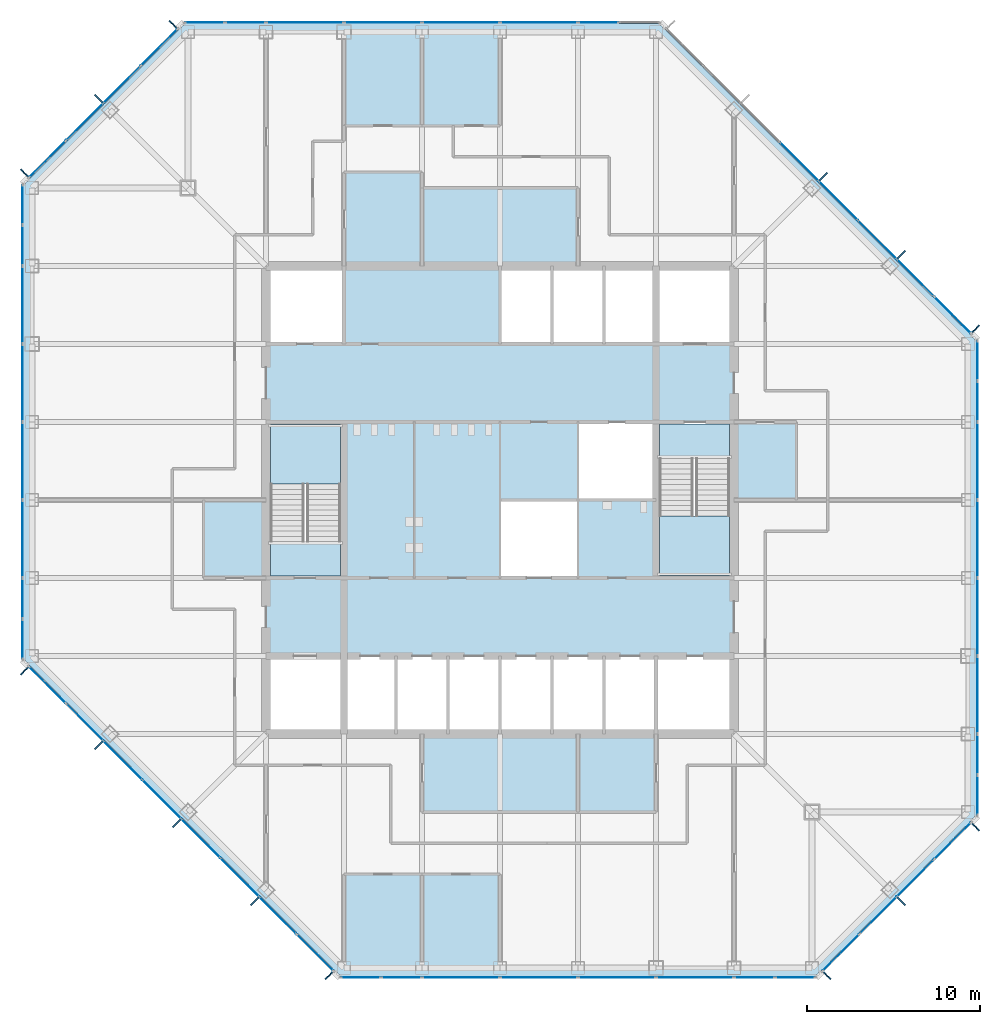
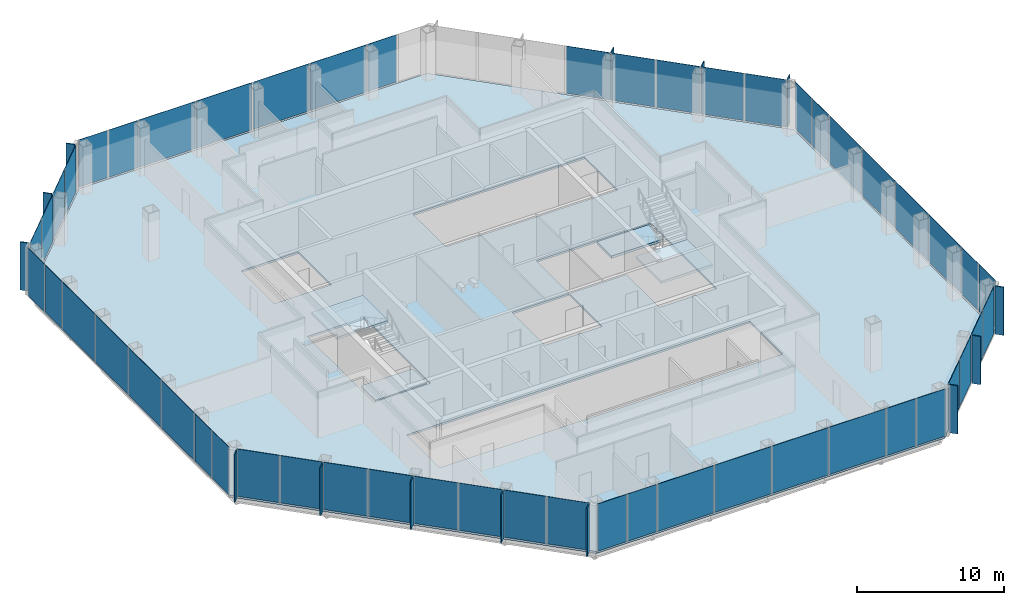
# One storey, part 7 of 13: 66 plates, 5 slabs, 10 elements without a shape of their own.
"""IFC4 building model written with IfcOpenShell, lengths in metres."""

from ifc_helpers import new_model, si_unit, direction, frame, origin, origin_2d, place, context, subcontext, project, spatial, polyline, rectangle, outline, extrude, material, layer, layer_set, type_object, element, aggregate, save


model = new_model("IFC4")

# Units and contexts
model_context = context("Model", 3, precision=1e-05, world=origin(), true_north=direction((0.0, 1.0)))
body_context = subcontext(model_context, "Body", "Model", "MODEL_VIEW")
ifc_project = project(units=[si_unit("LENGTHUNIT", "METRE"), si_unit("AREAUNIT", "SQUARE_METRE"), si_unit("VOLUMEUNIT", "CUBIC_METRE"), si_unit("PLANEANGLEUNIT", "RADIAN"), si_unit("MASSUNIT", "GRAM", prefix="KILO")], contexts=[model_context])

# Site, building, storey
site_placement = place(None, origin())
site = spatial("IfcSite", under=ifc_project, at=site_placement, CompositionType="ELEMENT")
building_placement = place(site_placement, origin())
building = spatial("IfcBuilding", under=site, at=building_placement, Name="Corais Broadcast Tower", CompositionType="ELEMENT")
storey_placement = place(building_placement, frame((0.0, 0.0, 123.60009765625)))
storey = spatial("IfcBuildingStorey", under=building, at=storey_placement, Name="L27", CompositionType="ELEMENT", Elevation=123.60009765625)

# Slab
ifc_material_1 = material(Name="Concrete C30/37", Category="concrete")
ifc_layer_1 = layer(ifc_material_1, 0.159912109375)
ifc_layer_set_1 = layer_set([ifc_layer_1], Name="Concrete C30/37")
slab_type_1 = type_object("IfcSlabType", Name="Composite floor slab 160", PredefinedType="FLOOR", material=ifc_layer_set_1)
slab_1_placement = place(storey_placement, frame((0.0, 0.0, -0.16015625)))
element("IfcSlab", 1, at=slab_1_placement, inside=storey, type_object=slab_type_1, Name="S160 floor slab L27", PredefinedType="FLOOR", context=body_context, shape_type="SweptSolid", body=[
    extrude(outline(polyline([(17.80126953125, -0.47998046875), (-0.47998046875, 17.80126953125), (-0.47998046875, 45.19873046875), (8.80126953125, 54.47998046875), (36.19873046875, 54.47998046875), (54.47998046875, 36.19873046875), (54.47998046875, 8.80126953125), (45.19873046875, -0.47998046875), (17.80126953125, -0.47998046875)]), holes=[polyline([(13.5, 18.0), (40.5, 18.0), (40.5, 13.5), (13.5, 13.5), (13.5, 18.0)]), polyline([(18.0, 22.5), (13.5, 22.5), (13.5, 31.5), (18.0, 31.5), (18.0, 22.5)]), polyline([(18.0, 36.0), (13.5, 36.0), (13.5, 40.5), (18.0, 40.5), (18.0, 36.0)]), polyline([(31.5, 22.5), (27.0, 22.5), (27.0, 27.0), (31.4951171875, 27.0), (31.4951171875, 27.0048828125), (31.5, 27.0048828125), (31.5, 31.5), (40.5, 31.5), (40.5, 22.5), (36.0, 22.5), (36.0, 27.0), (31.5048828125, 27.0), (31.5048828125, 26.9951171875), (31.5, 26.9951171875), (31.5, 22.5)]), polyline([(27.0, 40.5), (40.5, 40.5), (40.5, 36.0), (27.0, 36.0), (27.0, 40.5)])]), origin(), (0.0, 0.0, 1.0), 0.16015625),
])

# Curtain wall, plates
ifc_material_2 = material(Name="Aluminium and glass", Category="aluminium")
curtain_wall_type = type_object("IfcCurtainWallType", Name="Unitised fritted curtain wall CW2", PredefinedType="NOTDEFINED", material=ifc_material_2)
curtain_wall_1_placement = place(storey_placement, origin())
curtain_wall_1 = element("IfcCurtainWall", 2, at=curtain_wall_1_placement, inside=storey, type_object=curtain_wall_type, Name="CW2 curtain wall L27 1", PredefinedType="NOTDEFINED")
ifc_material_3 = material(Name="Ceramic-fritted laminated glass", Category="glass")
ifc_layer_2 = layer(ifc_material_3, 0.028076171875)
ifc_layer_set_2 = layer_set([ifc_layer_2], Name="Ceramic-fritted laminated glass")
plate_type_1 = type_object("IfcPlateType", Name="Fritted glass panel CW2", PredefinedType="CURTAIN_PANEL", material=ifc_layer_set_2)
plate_1_placement = place(storey_placement, frame((16.330322265625, 0.891845703125, 0.06494140625), z_axis=(0.0, 0.0, 1.0), x_axis=(-0.707106781187, 0.707106781187, 0.0)))
plate_1 = element("IfcPlate", 3, at=plate_1_placement, type_object=plate_type_1, Name="CW2 panel 1", PredefinedType="CURTAIN_PANEL", context=body_context, shape_type="SweptSolid", body=[
    extrude(rectangle(XDim=2.9482421875, YDim=0.028076171875, at=origin_2d()), origin(), (0.0, 0.0, 1.0), 3.93505859375),
])
plate_2_placement = place(storey_placement, frame((11.986083984375, 5.236083984375, 0.06494140625), z_axis=(0.0, 0.0, 1.0), x_axis=(-0.707106781187, 0.707106781187, 0.0)))
plate_2 = element("IfcPlate", 4, at=plate_2_placement, type_object=plate_type_1, Name="CW2 panel 3", PredefinedType="CURTAIN_PANEL", context=body_context, shape_type="SweptSolid", body=[
    extrude(rectangle(XDim=3.116943359375, YDim=0.028076171875, at=origin_2d()), origin(), (0.0, 0.0, 1.0), 3.93505859375),
])
plate_3_placement = place(storey_placement, frame((7.486083984375, 9.736083984375, 0.06494140625), z_axis=(0.0, 0.0, 1.0), x_axis=(-0.707106781187, 0.707106781187, 0.0)))
plate_3 = element("IfcPlate", 5, at=plate_3_placement, type_object=plate_type_1, Name="CW2 panel 5", PredefinedType="CURTAIN_PANEL", context=body_context, shape_type="SweptSolid", body=[
    extrude(rectangle(XDim=3.116943359375, YDim=0.028076171875, at=origin_2d()), origin(), (0.0, 0.0, 1.0), 3.93505859375),
])
plate_4_placement = place(storey_placement, frame((3.0341796875, 14.18798828125, 0.06494140625), z_axis=(0.0, 0.0, 1.0), x_axis=(-0.707106781187, 0.707106781187, 0.0)))
plate_4 = element("IfcPlate", 6, at=plate_4_placement, type_object=plate_type_1, Name="CW2 panel 7", PredefinedType="CURTAIN_PANEL", context=body_context, shape_type="SweptSolid", body=[
    extrude(rectangle(XDim=2.98095703125, YDim=0.028076171875, at=origin_2d()), origin(), (0.0, 0.0, 1.0), 3.93505859375),
])

curtain_wall_2_placement = place(storey_placement, origin())
curtain_wall_2 = element("IfcCurtainWall", 7, at=curtain_wall_2_placement, inside=storey, type_object=curtain_wall_type, Name="CW2 curtain wall L27 2", PredefinedType="NOTDEFINED")
plate_5_placement = place(storey_placement, frame((-0.550048828125, 18.970458984375, 0.06494140625), z_axis=(0.0, 0.0, 1.0), x_axis=(0.0, 1.0, 0.0)))
plate_5 = element("IfcPlate", 8, at=plate_5_placement, type_object=plate_type_1, Name="CW2 panel 1", PredefinedType="CURTAIN_PANEL", context=body_context, shape_type="SweptSolid", body=[
    extrude(rectangle(XDim=2.266357421875, YDim=0.028076171875, at=origin_2d()), origin(), (0.0, 0.0, 1.0), 3.93505859375),
])
plate_6_placement = place(storey_placement, frame((-0.550048828125, 24.75, 0.06494140625), z_axis=(0.0, 0.0, 1.0), x_axis=(0.0, 1.0, 0.0)))
plate_6 = element("IfcPlate", 9, at=plate_6_placement, type_object=plate_type_1, Name="CW2 panel 3", PredefinedType="CURTAIN_PANEL", context=body_context, shape_type="SweptSolid", body=[
    extrude(rectangle(XDim=4.43505859375, YDim=0.028076171875, at=origin_2d()), origin(), (0.0, 0.0, 1.0), 3.93505859375),
])
plate_7_placement = place(storey_placement, frame((-0.550048828125, 33.75, 0.06494140625), z_axis=(0.0, 0.0, 1.0), x_axis=(0.0, 1.0, 0.0)))
plate_7 = element("IfcPlate", 10, at=plate_7_placement, type_object=plate_type_1, Name="CW2 panel 5", PredefinedType="CURTAIN_PANEL", context=body_context, shape_type="SweptSolid", body=[
    extrude(rectangle(XDim=4.43505859375, YDim=0.028076171875, at=origin_2d()), origin(), (0.0, 0.0, 1.0), 3.93505859375),
])
plate_8_placement = place(storey_placement, frame((-0.550048828125, 41.681884765625, 0.06494140625), z_axis=(0.0, 0.0, 1.0), x_axis=(0.0, 1.0, 0.0)))
plate_8 = element("IfcPlate", 11, at=plate_8_placement, type_object=plate_type_1, Name="CW2 panel 7", PredefinedType="CURTAIN_PANEL", context=body_context, shape_type="SweptSolid", body=[
    extrude(rectangle(XDim=2.298828125, YDim=0.028076171875, at=origin_2d()), origin(), (0.0, 0.0, 1.0), 3.93505859375),
])

curtain_wall_3_placement = place(storey_placement, origin())
curtain_wall_3 = element("IfcCurtainWall", 12, at=curtain_wall_3_placement, inside=storey, type_object=curtain_wall_type, Name="CW2 curtain wall L27 3", PredefinedType="NOTDEFINED")
plate_9_placement = place(storey_placement, frame((0.891845703125, 46.669677734375, 0.06494140625), z_axis=(0.0, 0.0, 1.0), x_axis=(0.707106781187, 0.707106781187, 0.0)))
plate_9 = element("IfcPlate", 13, at=plate_9_placement, type_object=plate_type_1, Name="CW2 panel 1", PredefinedType="CURTAIN_PANEL", context=body_context, shape_type="SweptSolid", body=[
    extrude(rectangle(XDim=2.9482421875, YDim=0.028076171875, at=origin_2d()), origin(), (0.0, 0.0, 1.0), 3.93505859375),
])
plate_10_placement = place(storey_placement, frame((5.18798828125, 50.9658203125, 0.06494140625), z_axis=(0.0, 0.0, 1.0), x_axis=(0.707106781187, 0.707106781187, 0.0)))
plate_10 = element("IfcPlate", 14, at=plate_10_placement, type_object=plate_type_1, Name="CW2 panel 3", PredefinedType="CURTAIN_PANEL", context=body_context, shape_type="SweptSolid", body=[
    extrude(rectangle(XDim=2.98095703125, YDim=0.028076171875, at=origin_2d()), origin(), (0.0, 0.0, 1.0), 3.93505859375),
])

curtain_wall_4_placement = place(storey_placement, origin())
curtain_wall_4 = element("IfcCurtainWall", 15, at=curtain_wall_4_placement, inside=storey, type_object=curtain_wall_type, Name="CW2 curtain wall L27 4", PredefinedType="NOTDEFINED")
plate_11_placement = place(storey_placement, frame((9.970458984375, 54.550048828125, 0.06494140625), z_axis=(0.0, 0.0, 1.0), x_axis=(1.0, 0.0, 0.0)))
plate_11 = element("IfcPlate", 16, at=plate_11_placement, type_object=plate_type_1, Name="CW2 panel 1", PredefinedType="CURTAIN_PANEL", context=body_context, shape_type="SweptSolid", body=[
    extrude(rectangle(XDim=2.266357421875, YDim=0.028076171875, at=origin_2d()), origin(), (0.0, 0.0, 1.0), 3.93505859375),
])
plate_12_placement = place(storey_placement, frame((15.75, 54.550048828125, 0.06494140625), z_axis=(0.0, 0.0, 1.0), x_axis=(1.0, 0.0, 0.0)))
plate_12 = element("IfcPlate", 17, at=plate_12_placement, type_object=plate_type_1, Name="CW2 panel 3", PredefinedType="CURTAIN_PANEL", context=body_context, shape_type="SweptSolid", body=[
    extrude(rectangle(XDim=4.43505859375, YDim=0.028076171875, at=origin_2d()), origin(), (0.0, 0.0, 1.0), 3.93505859375),
])
plate_13_placement = place(storey_placement, frame((24.75, 54.550048828125, 0.06494140625), z_axis=(0.0, 0.0, 1.0), x_axis=(1.0, 0.0, 0.0)))
plate_13 = element("IfcPlate", 18, at=plate_13_placement, type_object=plate_type_1, Name="CW2 panel 5", PredefinedType="CURTAIN_PANEL", context=body_context, shape_type="SweptSolid", body=[
    extrude(rectangle(XDim=4.43505859375, YDim=0.028076171875, at=origin_2d()), origin(), (0.0, 0.0, 1.0), 3.93505859375),
])
plate_14_placement = place(storey_placement, frame((32.681884765625, 54.550048828125, 0.06494140625), z_axis=(0.0, 0.0, 1.0), x_axis=(1.0, 0.0, 0.0)))
plate_14 = element("IfcPlate", 19, at=plate_14_placement, type_object=plate_type_1, Name="CW2 panel 7", PredefinedType="CURTAIN_PANEL", context=body_context, shape_type="SweptSolid", body=[
    extrude(rectangle(XDim=2.298828125, YDim=0.028076171875, at=origin_2d()), origin(), (0.0, 0.0, 1.0), 3.93505859375),
])

curtain_wall_5_placement = place(storey_placement, origin())
curtain_wall_5 = element("IfcCurtainWall", 20, at=curtain_wall_5_placement, inside=storey, type_object=curtain_wall_type, Name="CW2 curtain wall L27 5", PredefinedType="NOTDEFINED")
plate_15_placement = place(storey_placement, frame((46.513916015625, 44.263916015625, 0.06494140625), z_axis=(0.0, 0.0, 1.0), x_axis=(0.707106781187, -0.707106781187, 0.0)))
plate_15 = element("IfcPlate", 21, at=plate_15_placement, type_object=plate_type_1, Name="CW2 panel 5", PredefinedType="CURTAIN_PANEL", context=body_context, shape_type="SweptSolid", body=[
    extrude(rectangle(XDim=3.116943359375, YDim=0.028076171875, at=origin_2d()), origin(), (0.0, 0.0, 1.0), 3.93505859375),
])
plate_16_placement = place(storey_placement, frame((50.9658203125, 39.81201171875, 0.06494140625), z_axis=(0.0, 0.0, 1.0), x_axis=(0.707106781187, -0.707106781187, 0.0)))
plate_16 = element("IfcPlate", 22, at=plate_16_placement, type_object=plate_type_1, Name="CW2 panel 7", PredefinedType="CURTAIN_PANEL", context=body_context, shape_type="SweptSolid", body=[
    extrude(rectangle(XDim=2.98095703125, YDim=0.028076171875, at=origin_2d()), origin(), (0.0, 0.0, 1.0), 3.93505859375),
])

curtain_wall_6_placement = place(storey_placement, origin())
curtain_wall_6 = element("IfcCurtainWall", 23, at=curtain_wall_6_placement, inside=storey, type_object=curtain_wall_type, Name="CW2 curtain wall L27 6", PredefinedType="NOTDEFINED")
plate_17_placement = place(storey_placement, frame((54.550048828125, 35.029541015625, 0.06494140625), z_axis=(0.0, 0.0, 1.0), x_axis=(0.0, -1.0, 0.0)))
plate_17 = element("IfcPlate", 24, at=plate_17_placement, type_object=plate_type_1, Name="CW2 panel 1", PredefinedType="CURTAIN_PANEL", context=body_context, shape_type="SweptSolid", body=[
    extrude(rectangle(XDim=2.266357421875, YDim=0.028076171875, at=origin_2d()), origin(), (0.0, 0.0, 1.0), 3.93505859375),
])
plate_18_placement = place(storey_placement, frame((54.550048828125, 29.25, 0.06494140625), z_axis=(0.0, 0.0, 1.0), x_axis=(0.0, -1.0, 0.0)))
plate_18 = element("IfcPlate", 25, at=plate_18_placement, type_object=plate_type_1, Name="CW2 panel 3", PredefinedType="CURTAIN_PANEL", context=body_context, shape_type="SweptSolid", body=[
    extrude(rectangle(XDim=4.43505859375, YDim=0.028076171875, at=origin_2d()), origin(), (0.0, 0.0, 1.0), 3.93505859375),
])
plate_19_placement = place(storey_placement, frame((54.550048828125, 20.25, 0.06494140625), z_axis=(0.0, 0.0, 1.0), x_axis=(0.0, -1.0, 0.0)))
plate_19 = element("IfcPlate", 26, at=plate_19_placement, type_object=plate_type_1, Name="CW2 panel 5", PredefinedType="CURTAIN_PANEL", context=body_context, shape_type="SweptSolid", body=[
    extrude(rectangle(XDim=4.43505859375, YDim=0.028076171875, at=origin_2d()), origin(), (0.0, 0.0, 1.0), 3.93505859375),
])
plate_20_placement = place(storey_placement, frame((54.550048828125, 12.318115234375, 0.06494140625), z_axis=(0.0, 0.0, 1.0), x_axis=(0.0, -1.0, 0.0)))
plate_20 = element("IfcPlate", 27, at=plate_20_placement, type_object=plate_type_1, Name="CW2 panel 7", PredefinedType="CURTAIN_PANEL", context=body_context, shape_type="SweptSolid", body=[
    extrude(rectangle(XDim=2.298828125, YDim=0.028076171875, at=origin_2d()), origin(), (0.0, 0.0, 1.0), 3.93505859375),
])

curtain_wall_7_placement = place(storey_placement, origin())
curtain_wall_7 = element("IfcCurtainWall", 28, at=curtain_wall_7_placement, inside=storey, type_object=curtain_wall_type, Name="CW2 curtain wall L27 7", PredefinedType="NOTDEFINED")
plate_21_placement = place(storey_placement, frame((53.108154296875, 7.330322265625, 0.06494140625), z_axis=(0.0, 0.0, 1.0), x_axis=(-0.707106781187, -0.707106781187, 0.0)))
plate_21 = element("IfcPlate", 29, at=plate_21_placement, type_object=plate_type_1, Name="CW2 panel 1", PredefinedType="CURTAIN_PANEL", context=body_context, shape_type="SweptSolid", body=[
    extrude(rectangle(XDim=2.9482421875, YDim=0.028076171875, at=origin_2d()), origin(), (0.0, 0.0, 1.0), 3.93505859375),
])
plate_22_placement = place(storey_placement, frame((48.81201171875, 3.0341796875, 0.06494140625), z_axis=(0.0, 0.0, 1.0), x_axis=(-0.707106781187, -0.707106781187, 0.0)))
plate_22 = element("IfcPlate", 30, at=plate_22_placement, type_object=plate_type_1, Name="CW2 panel 3", PredefinedType="CURTAIN_PANEL", context=body_context, shape_type="SweptSolid", body=[
    extrude(rectangle(XDim=2.98095703125, YDim=0.028076171875, at=origin_2d()), origin(), (0.0, 0.0, 1.0), 3.93505859375),
])

curtain_wall_8_placement = place(storey_placement, origin())
curtain_wall_8 = element("IfcCurtainWall", 31, at=curtain_wall_8_placement, inside=storey, type_object=curtain_wall_type, Name="CW2 curtain wall L27 8", PredefinedType="NOTDEFINED")
plate_23_placement = place(storey_placement, frame((44.029541015625, -0.550048828125, 0.06494140625), z_axis=(0.0, 0.0, 1.0), x_axis=(-1.0, 0.0, 0.0)))
plate_23 = element("IfcPlate", 32, at=plate_23_placement, type_object=plate_type_1, Name="CW2 panel 1", PredefinedType="CURTAIN_PANEL", context=body_context, shape_type="SweptSolid", body=[
    extrude(rectangle(XDim=2.266357421875, YDim=0.028076171875, at=origin_2d()), origin(), (0.0, 0.0, 1.0), 3.93505859375),
])
plate_24_placement = place(storey_placement, frame((38.25, -0.550048828125, 0.06494140625), z_axis=(0.0, 0.0, 1.0), x_axis=(-1.0, 0.0, 0.0)))
plate_24 = element("IfcPlate", 33, at=plate_24_placement, type_object=plate_type_1, Name="CW2 panel 3", PredefinedType="CURTAIN_PANEL", context=body_context, shape_type="SweptSolid", body=[
    extrude(rectangle(XDim=4.43505859375, YDim=0.028076171875, at=origin_2d()), origin(), (0.0, 0.0, 1.0), 3.93505859375),
])
plate_25_placement = place(storey_placement, frame((29.25, -0.550048828125, 0.06494140625), z_axis=(0.0, 0.0, 1.0), x_axis=(-1.0, 0.0, 0.0)))
plate_25 = element("IfcPlate", 34, at=plate_25_placement, type_object=plate_type_1, Name="CW2 panel 5", PredefinedType="CURTAIN_PANEL", context=body_context, shape_type="SweptSolid", body=[
    extrude(rectangle(XDim=4.43505859375, YDim=0.028076171875, at=origin_2d()), origin(), (0.0, 0.0, 1.0), 3.93505859375),
])
plate_26_placement = place(storey_placement, frame((21.318115234375, -0.550048828125, 0.06494140625), z_axis=(0.0, 0.0, 1.0), x_axis=(-1.0, 0.0, 0.0)))
plate_26 = element("IfcPlate", 35, at=plate_26_placement, type_object=plate_type_1, Name="CW2 panel 7", PredefinedType="CURTAIN_PANEL", context=body_context, shape_type="SweptSolid", body=[
    extrude(rectangle(XDim=2.298828125, YDim=0.028076171875, at=origin_2d()), origin(), (0.0, 0.0, 1.0), 3.93505859375),
])

# Plate
ifc_material_4 = material(Name="Clear laminated glass", Category="glass")
ifc_layer_3 = layer(ifc_material_4, 0.031982421875)
ifc_layer_set_3 = layer_set([ifc_layer_3], Name="Clear laminated glass")
plate_type_2 = type_object("IfcPlateType", Name="Operable glass panel CW2", PredefinedType="CURTAIN_PANEL", material=ifc_layer_set_3)
plate_27_placement = place(storey_placement, frame((14.18798828125, 3.0341796875, 0.06494140625), z_axis=(0.0, 0.0, 1.0), x_axis=(-0.707106781187, 0.707106781187, 0.0)))
plate_27 = element("IfcPlate", 36, at=plate_27_placement, type_object=plate_type_2, Name="CW2 operable panel 2", PredefinedType="CURTAIN_PANEL", context=body_context, shape_type="SweptSolid", body=[
    extrude(rectangle(XDim=2.98095703125, YDim=0.031982421875, at=origin_2d()), origin(), (0.0, 0.0, 1.0), 3.93505859375),
])

plate_28_placement = place(storey_placement, frame((9.736083984375, 7.486083984375, 0.06494140625), z_axis=(0.0, 0.0, 1.0), x_axis=(-0.707106781187, 0.707106781187, 0.0)))
plate_28 = element("IfcPlate", 37, at=plate_28_placement, type_object=plate_type_2, Name="CW2 operable panel 4", PredefinedType="CURTAIN_PANEL", context=body_context, shape_type="SweptSolid", body=[
    extrude(rectangle(XDim=3.116943359375, YDim=0.031982421875, at=origin_2d()), origin(), (0.0, 0.0, 1.0), 3.93505859375),
])

plate_29_placement = place(storey_placement, frame((5.236083984375, 11.986083984375, 0.06494140625), z_axis=(0.0, 0.0, 1.0), x_axis=(-0.707106781187, 0.707106781187, 0.0)))
plate_29 = element("IfcPlate", 38, at=plate_29_placement, type_object=plate_type_2, Name="CW2 operable panel 6", PredefinedType="CURTAIN_PANEL", context=body_context, shape_type="SweptSolid", body=[
    extrude(rectangle(XDim=3.116943359375, YDim=0.031982421875, at=origin_2d()), origin(), (0.0, 0.0, 1.0), 3.93505859375),
])

plate_30_placement = place(storey_placement, frame((0.89208984375, 16.330322265625, 0.06494140625), z_axis=(0.0, 0.0, 1.0), x_axis=(-0.707106781187, 0.707106781187, 0.0)))
plate_30 = element("IfcPlate", 39, at=plate_30_placement, type_object=plate_type_2, Name="CW2 operable panel 8", PredefinedType="CURTAIN_PANEL", context=body_context, shape_type="SweptSolid", body=[
    extrude(rectangle(XDim=2.948486328125, YDim=0.031982421875, at=origin_2d()), origin(), (0.0, 0.0, 1.0), 3.93505859375),
])

aggregate(curtain_wall_1, [plate_1, plate_27, plate_2, plate_28, plate_3, plate_29, plate_4, plate_30])

plate_31_placement = place(storey_placement, frame((-0.550048828125, 21.318115234375, 0.06494140625), z_axis=(0.0, 0.0, 1.0), x_axis=(0.0, 1.0, 0.0)))
plate_31 = element("IfcPlate", 40, at=plate_31_placement, type_object=plate_type_2, Name="CW2 operable panel 2", PredefinedType="CURTAIN_PANEL", context=body_context, shape_type="SweptSolid", body=[
    extrude(rectangle(XDim=2.298828125, YDim=0.031982421875, at=origin_2d()), origin(), (0.0, 0.0, 1.0), 3.93505859375),
])

plate_32_placement = place(storey_placement, frame((-0.550048828125, 29.25, 0.06494140625), z_axis=(0.0, 0.0, 1.0), x_axis=(0.0, 1.0, 0.0)))
plate_32 = element("IfcPlate", 41, at=plate_32_placement, type_object=plate_type_2, Name="CW2 operable panel 4", PredefinedType="CURTAIN_PANEL", context=body_context, shape_type="SweptSolid", body=[
    extrude(rectangle(XDim=4.43505859375, YDim=0.031982421875, at=origin_2d()), origin(), (0.0, 0.0, 1.0), 3.93505859375),
])

plate_33_placement = place(storey_placement, frame((-0.550048828125, 38.25, 0.06494140625), z_axis=(0.0, 0.0, 1.0), x_axis=(0.0, 1.0, 0.0)))
plate_33 = element("IfcPlate", 42, at=plate_33_placement, type_object=plate_type_2, Name="CW2 operable panel 6", PredefinedType="CURTAIN_PANEL", context=body_context, shape_type="SweptSolid", body=[
    extrude(rectangle(XDim=4.43505859375, YDim=0.031982421875, at=origin_2d()), origin(), (0.0, 0.0, 1.0), 3.93505859375),
])

plate_34_placement = place(storey_placement, frame((-0.550048828125, 44.029541015625, 0.06494140625), z_axis=(0.0, 0.0, 1.0), x_axis=(0.0, 1.0, 0.0)))
plate_34 = element("IfcPlate", 43, at=plate_34_placement, type_object=plate_type_2, Name="CW2 operable panel 8", PredefinedType="CURTAIN_PANEL", context=body_context, shape_type="SweptSolid", body=[
    extrude(rectangle(XDim=2.266357421875, YDim=0.031982421875, at=origin_2d()), origin(), (0.0, 0.0, 1.0), 3.93505859375),
])

aggregate(curtain_wall_2, [plate_5, plate_31, plate_6, plate_32, plate_7, plate_33, plate_8, plate_34])

plate_35_placement = place(storey_placement, frame((3.0341796875, 48.81201171875, 0.06494140625), z_axis=(0.0, 0.0, 1.0), x_axis=(0.707106781187, 0.707106781187, 0.0)))
plate_35 = element("IfcPlate", 44, at=plate_35_placement, type_object=plate_type_2, Name="CW2 operable panel 2", PredefinedType="CURTAIN_PANEL", context=body_context, shape_type="SweptSolid", body=[
    extrude(rectangle(XDim=2.98095703125, YDim=0.031982421875, at=origin_2d()), origin(), (0.0, 0.0, 1.0), 3.93505859375),
])

plate_36_placement = place(storey_placement, frame((7.330322265625, 53.10791015625, 0.06494140625), z_axis=(0.0, 0.0, 1.0), x_axis=(0.707106781187, 0.707106781187, 0.0)))
plate_36 = element("IfcPlate", 45, at=plate_36_placement, type_object=plate_type_2, Name="CW2 operable panel 4", PredefinedType="CURTAIN_PANEL", context=body_context, shape_type="SweptSolid", body=[
    extrude(rectangle(XDim=2.948486328125, YDim=0.031982421875, at=origin_2d()), origin(), (0.0, 0.0, 1.0), 3.93505859375),
])

aggregate(curtain_wall_3, [plate_9, plate_35, plate_10, plate_36])

plate_37_placement = place(storey_placement, frame((12.318115234375, 54.550048828125, 0.06494140625), z_axis=(0.0, 0.0, 1.0), x_axis=(1.0, 0.0, 0.0)))
plate_37 = element("IfcPlate", 46, at=plate_37_placement, type_object=plate_type_2, Name="CW2 operable panel 2", PredefinedType="CURTAIN_PANEL", context=body_context, shape_type="SweptSolid", body=[
    extrude(rectangle(XDim=2.298828125, YDim=0.031982421875, at=origin_2d()), origin(), (0.0, 0.0, 1.0), 3.93505859375),
])

plate_38_placement = place(storey_placement, frame((20.25, 54.550048828125, 0.06494140625), z_axis=(0.0, 0.0, 1.0), x_axis=(1.0, 0.0, 0.0)))
plate_38 = element("IfcPlate", 47, at=plate_38_placement, type_object=plate_type_2, Name="CW2 operable panel 4", PredefinedType="CURTAIN_PANEL", context=body_context, shape_type="SweptSolid", body=[
    extrude(rectangle(XDim=4.43505859375, YDim=0.031982421875, at=origin_2d()), origin(), (0.0, 0.0, 1.0), 3.93505859375),
])

plate_39_placement = place(storey_placement, frame((29.25, 54.550048828125, 0.06494140625), z_axis=(0.0, 0.0, 1.0), x_axis=(1.0, 0.0, 0.0)))
plate_39 = element("IfcPlate", 48, at=plate_39_placement, type_object=plate_type_2, Name="CW2 operable panel 6", PredefinedType="CURTAIN_PANEL", context=body_context, shape_type="SweptSolid", body=[
    extrude(rectangle(XDim=4.43505859375, YDim=0.031982421875, at=origin_2d()), origin(), (0.0, 0.0, 1.0), 3.93505859375),
])

aggregate(curtain_wall_4, [plate_11, plate_37, plate_12, plate_38, plate_13, plate_39, plate_14])

plate_40_placement = place(storey_placement, frame((44.263916015625, 46.513916015625, 0.06494140625), z_axis=(0.0, 0.0, 1.0), x_axis=(0.707106781187, -0.707106781187, 0.0)))
plate_40 = element("IfcPlate", 49, at=plate_40_placement, type_object=plate_type_2, Name="CW2 operable panel 4", PredefinedType="CURTAIN_PANEL", context=body_context, shape_type="SweptSolid", body=[
    extrude(rectangle(XDim=3.116943359375, YDim=0.031982421875, at=origin_2d()), origin(), (0.0, 0.0, 1.0), 3.93505859375),
])

plate_41_placement = place(storey_placement, frame((48.763916015625, 42.013916015625, 0.06494140625), z_axis=(0.0, 0.0, 1.0), x_axis=(0.707106781187, -0.707106781187, 0.0)))
plate_41 = element("IfcPlate", 50, at=plate_41_placement, type_object=plate_type_2, Name="CW2 operable panel 6", PredefinedType="CURTAIN_PANEL", context=body_context, shape_type="SweptSolid", body=[
    extrude(rectangle(XDim=3.116943359375, YDim=0.031982421875, at=origin_2d()), origin(), (0.0, 0.0, 1.0), 3.93505859375),
])

plate_42_placement = place(storey_placement, frame((53.10791015625, 37.669677734375, 0.06494140625), z_axis=(0.0, 0.0, 1.0), x_axis=(0.707106781187, -0.707106781187, 0.0)))
plate_42 = element("IfcPlate", 51, at=plate_42_placement, type_object=plate_type_2, Name="CW2 operable panel 8", PredefinedType="CURTAIN_PANEL", context=body_context, shape_type="SweptSolid", body=[
    extrude(rectangle(XDim=2.948486328125, YDim=0.031982421875, at=origin_2d()), origin(), (0.0, 0.0, 1.0), 3.93505859375),
])

aggregate(curtain_wall_5, [plate_40, plate_15, plate_41, plate_16, plate_42])

plate_43_placement = place(storey_placement, frame((54.550048828125, 32.681884765625, 0.06494140625), z_axis=(0.0, 0.0, 1.0), x_axis=(0.0, -1.0, 0.0)))
plate_43 = element("IfcPlate", 52, at=plate_43_placement, type_object=plate_type_2, Name="CW2 operable panel 2", PredefinedType="CURTAIN_PANEL", context=body_context, shape_type="SweptSolid", body=[
    extrude(rectangle(XDim=2.298828125, YDim=0.031982421875, at=origin_2d()), origin(), (0.0, 0.0, 1.0), 3.93505859375),
])

plate_44_placement = place(storey_placement, frame((54.550048828125, 24.75, 0.06494140625), z_axis=(0.0, 0.0, 1.0), x_axis=(0.0, -1.0, 0.0)))
plate_44 = element("IfcPlate", 53, at=plate_44_placement, type_object=plate_type_2, Name="CW2 operable panel 4", PredefinedType="CURTAIN_PANEL", context=body_context, shape_type="SweptSolid", body=[
    extrude(rectangle(XDim=4.43505859375, YDim=0.031982421875, at=origin_2d()), origin(), (0.0, 0.0, 1.0), 3.93505859375),
])

plate_45_placement = place(storey_placement, frame((54.550048828125, 15.75, 0.06494140625), z_axis=(0.0, 0.0, 1.0), x_axis=(0.0, -1.0, 0.0)))
plate_45 = element("IfcPlate", 54, at=plate_45_placement, type_object=plate_type_2, Name="CW2 operable panel 6", PredefinedType="CURTAIN_PANEL", context=body_context, shape_type="SweptSolid", body=[
    extrude(rectangle(XDim=4.43505859375, YDim=0.031982421875, at=origin_2d()), origin(), (0.0, 0.0, 1.0), 3.93505859375),
])

plate_46_placement = place(storey_placement, frame((54.550048828125, 9.970458984375, 0.06494140625), z_axis=(0.0, 0.0, 1.0), x_axis=(0.0, -1.0, 0.0)))
plate_46 = element("IfcPlate", 55, at=plate_46_placement, type_object=plate_type_2, Name="CW2 operable panel 8", PredefinedType="CURTAIN_PANEL", context=body_context, shape_type="SweptSolid", body=[
    extrude(rectangle(XDim=2.266357421875, YDim=0.031982421875, at=origin_2d()), origin(), (0.0, 0.0, 1.0), 3.93505859375),
])

aggregate(curtain_wall_6, [plate_17, plate_43, plate_18, plate_44, plate_19, plate_45, plate_20, plate_46])

plate_47_placement = place(storey_placement, frame((50.9658203125, 5.18798828125, 0.06494140625), z_axis=(0.0, 0.0, 1.0), x_axis=(-0.707106781187, -0.707106781187, 0.0)))
plate_47 = element("IfcPlate", 56, at=plate_47_placement, type_object=plate_type_2, Name="CW2 operable panel 2", PredefinedType="CURTAIN_PANEL", context=body_context, shape_type="SweptSolid", body=[
    extrude(rectangle(XDim=2.98095703125, YDim=0.031982421875, at=origin_2d()), origin(), (0.0, 0.0, 1.0), 3.93505859375),
])

plate_48_placement = place(storey_placement, frame((46.669677734375, 0.89208984375, 0.06494140625), z_axis=(0.0, 0.0, 1.0), x_axis=(-0.707106781187, -0.707106781187, 0.0)))
plate_48 = element("IfcPlate", 57, at=plate_48_placement, type_object=plate_type_2, Name="CW2 operable panel 4", PredefinedType="CURTAIN_PANEL", context=body_context, shape_type="SweptSolid", body=[
    extrude(rectangle(XDim=2.948486328125, YDim=0.031982421875, at=origin_2d()), origin(), (0.0, 0.0, 1.0), 3.93505859375),
])

aggregate(curtain_wall_7, [plate_21, plate_47, plate_22, plate_48])

plate_49_placement = place(storey_placement, frame((41.681884765625, -0.550048828125, 0.06494140625), z_axis=(0.0, 0.0, 1.0), x_axis=(-1.0, 0.0, 0.0)))
plate_49 = element("IfcPlate", 58, at=plate_49_placement, type_object=plate_type_2, Name="CW2 operable panel 2", PredefinedType="CURTAIN_PANEL", context=body_context, shape_type="SweptSolid", body=[
    extrude(rectangle(XDim=2.298828125, YDim=0.031982421875, at=origin_2d()), origin(), (0.0, 0.0, 1.0), 3.93505859375),
])

plate_50_placement = place(storey_placement, frame((33.75, -0.550048828125, 0.06494140625), z_axis=(0.0, 0.0, 1.0), x_axis=(-1.0, 0.0, 0.0)))
plate_50 = element("IfcPlate", 59, at=plate_50_placement, type_object=plate_type_2, Name="CW2 operable panel 4", PredefinedType="CURTAIN_PANEL", context=body_context, shape_type="SweptSolid", body=[
    extrude(rectangle(XDim=4.43505859375, YDim=0.031982421875, at=origin_2d()), origin(), (0.0, 0.0, 1.0), 3.93505859375),
])

plate_51_placement = place(storey_placement, frame((24.75, -0.550048828125, 0.06494140625), z_axis=(0.0, 0.0, 1.0), x_axis=(-1.0, 0.0, 0.0)))
plate_51 = element("IfcPlate", 60, at=plate_51_placement, type_object=plate_type_2, Name="CW2 operable panel 6", PredefinedType="CURTAIN_PANEL", context=body_context, shape_type="SweptSolid", body=[
    extrude(rectangle(XDim=4.43505859375, YDim=0.031982421875, at=origin_2d()), origin(), (0.0, 0.0, 1.0), 3.93505859375),
])

plate_52_placement = place(storey_placement, frame((18.970458984375, -0.550048828125, 0.06494140625), z_axis=(0.0, 0.0, 1.0), x_axis=(-1.0, 0.0, 0.0)))
plate_52 = element("IfcPlate", 61, at=plate_52_placement, type_object=plate_type_2, Name="CW2 operable panel 8", PredefinedType="CURTAIN_PANEL", context=body_context, shape_type="SweptSolid", body=[
    extrude(rectangle(XDim=2.266357421875, YDim=0.031982421875, at=origin_2d()), origin(), (0.0, 0.0, 1.0), 3.93505859375),
])

aggregate(curtain_wall_8, [plate_23, plate_49, plate_24, plate_50, plate_25, plate_51, plate_26, plate_52])

# Stair, slabs
ifc_material_5 = material(Name="Concrete C30/37", Category="concrete")
stair_type = type_object("IfcStairType", Name="Half-turn stair 4000", PredefinedType="HALF_TURN_STAIR", material=ifc_material_5)
stair_1_placement = place(storey_placement, origin())
stair_1 = element("IfcStair", 62, at=stair_1_placement, inside=storey, type_object=stair_type, Name="Stair A L27", PredefinedType="HALF_TURN_STAIR")
ifc_material_6 = material(Name="Concrete C30/37", Category="concrete")
ifc_layer_4 = layer(ifc_material_6, 0.199951171875)
ifc_layer_set_4 = layer_set([ifc_layer_4], Name="Concrete C30/37")
slab_type_2 = type_object("IfcSlabType", Name="Stair landing 200", PredefinedType="LANDING", material=ifc_layer_set_4)
slab_2_placement = place(storey_placement, frame((0.0, 0.0, -0.2001953125)))
slab_2 = element("IfcSlab", 63, at=slab_2_placement, type_object=slab_type_2, Name="STA landing 1", PredefinedType="LANDING", context=body_context, shape_type="SweptSolid", body=[
    extrude(outline(polyline([(13.75, 22.625), (17.800048828125, 22.625), (17.800048828125, 24.60009765625), (13.75, 24.60009765625), (13.75, 22.625)])), origin(), (0.0, 0.0, 1.0), 0.2001953125),
])
slab_3_placement = place(storey_placement, frame((0.0, 0.0, 1.7998046875)))
slab_3 = element("IfcSlab", 64, at=slab_3_placement, type_object=slab_type_2, Name="STA landing 2", PredefinedType="LANDING", context=body_context, shape_type="SweptSolid", body=[
    extrude(outline(polyline([(13.75, 27.922119140625), (17.800048828125, 27.922119140625), (17.800048828125, 31.375), (13.75, 31.375), (13.75, 27.922119140625)])), origin(), (0.0, 0.0, 1.0), 0.2001953125),
])
aggregate(stair_1, [slab_2, slab_3])

stair_2_placement = place(storey_placement, origin())
stair_2 = element("IfcStair", 65, at=stair_2_placement, inside=storey, type_object=stair_type, Name="Stair B L27", PredefinedType="HALF_TURN_STAIR")
slab_4_placement = place(storey_placement, frame((0.0, 0.0, -0.2001953125)))
slab_4 = element("IfcSlab", 66, at=slab_4_placement, type_object=slab_type_2, Name="STB landing 1", PredefinedType="LANDING", context=body_context, shape_type="SweptSolid", body=[
    extrude(outline(polyline([(36.199951171875, 29.39990234375), (40.25, 29.39990234375), (40.25, 31.375), (36.199951171875, 31.375), (36.199951171875, 29.39990234375)])), origin(), (0.0, 0.0, 1.0), 0.2001953125),
])
slab_5_placement = place(storey_placement, frame((0.0, 0.0, 1.7998046875)))
slab_5 = element("IfcSlab", 67, at=slab_5_placement, type_object=slab_type_2, Name="STB landing 2", PredefinedType="LANDING", context=body_context, shape_type="SweptSolid", body=[
    extrude(outline(polyline([(36.199951171875, 22.625), (40.25, 22.625), (40.25, 26.077880859375), (36.199951171875, 26.077880859375), (36.199951171875, 22.625)])), origin(), (0.0, 0.0, 1.0), 0.2001953125),
])
aggregate(stair_2, [slab_4, slab_5])

# Plates
ifc_material_7 = material(Name="Granite stone cladding", Category="masonry")
ifc_layer_5 = layer(ifc_material_7, 0.080078125)
ifc_layer_set_5 = layer_set([ifc_layer_5], Name="Granite stone cladding")
plate_type_3 = type_object("IfcPlateType", Name="Stone screen fin 80x600", PredefinedType="USERDEFINED", material=ifc_layer_set_5)
for number, where, z_axis, x_axis, name in (
    (68, (17.1220703125, -0.447021484375, 0.0), (0.0, 0.0, 1.0), (-0.707106781187, 0.707106781187, 0.0), "SF1 stone screen fin L27"),
    (69, (12.83740234375, 3.83740234375, 0.0), (0.0, 0.0, 1.0), (-0.707106781187, 0.707106781187, 0.0), "SF1 stone screen fin L27"),
    (70, (8.33740234375, 8.33740234375, 0.0), (0.0, 0.0, 1.0), (-0.707106781187, 0.707106781187, 0.0), "SF1 stone screen fin L27"),
    (71, (3.83740234375, 12.83740234375, 0.0), (0.0, 0.0, 1.0), (-0.707106781187, 0.707106781187, 0.0), "SF1 stone screen fin L27"),
    (72, (-0.447021484375, 17.1220703125, 0.0), (0.0, 0.0, 1.0), (-0.707106781187, 0.707106781187, 0.0), "SF1 stone screen fin L27"),
    (73, (-0.447021484375, 45.8779296875, 0.0), (0.0, 0.0, 1.0), (0.707106781187, 0.707106781187, 0.0), "SF1 stone screen fin L27"),
    (74, (3.83740234375, 50.16259765625, 0.0), (0.0, 0.0, 1.0), (0.707106781187, 0.707106781187, 0.0), "SF1 stone screen fin L27"),
    (75, (8.1220703125, 54.447021484375, 0.0), (0.0, 0.0, 1.0), (0.707106781187, 0.707106781187, 0.0), "SF1 stone screen fin L27"),
    (76, (45.66259765625, 45.66259765625, 0.0), (0.0, 0.0, 1.0), (0.707106781187, -0.707106781187, 0.0), "SF1 stone screen fin L27"),
    (77, (50.16259765625, 41.16259765625, 0.0), (0.0, 0.0, 1.0), (0.707106781187, -0.707106781187, 0.0), "SF1 stone screen fin L27"),
    (78, (54.447021484375, 36.8779296875, 0.0), (0.0, 0.0, 1.0), (0.707106781187, -0.707106781187, 0.0), "SF1 stone screen fin L27"),
    (79, (54.447021484375, 8.1220703125, 0.0), (0.0, 0.0, 1.0), (-0.707106781187, -0.707106781187, 0.0), "SF1 stone screen fin L27"),
    (80, (50.16259765625, 3.83740234375, 0.0), (0.0, 0.0, 1.0), (-0.707106781187, -0.707106781187, 0.0), "SF1 stone screen fin L27"),
    (81, (45.8779296875, -0.447021484375, 0.0), (0.0, 0.0, 1.0), (-0.707106781187, -0.707106781187, 0.0), "SF1 stone screen fin L27"),
):
    element("IfcPlate", number, at=place(storey_placement, frame(where, z_axis=z_axis, x_axis=x_axis)), inside=storey, type_object=plate_type_3, Name=name, ObjectType="STONE SCREEN FIN", PredefinedType="USERDEFINED", context=body_context, shape_type="SweptSolid", body=[
        extrude(rectangle(XDim=0.080078125, YDim=0.60009765625, at=origin_2d()), origin(), (0.0, 0.0, 1.0), 4.0),
    ])

save(model, "model.ifc")
